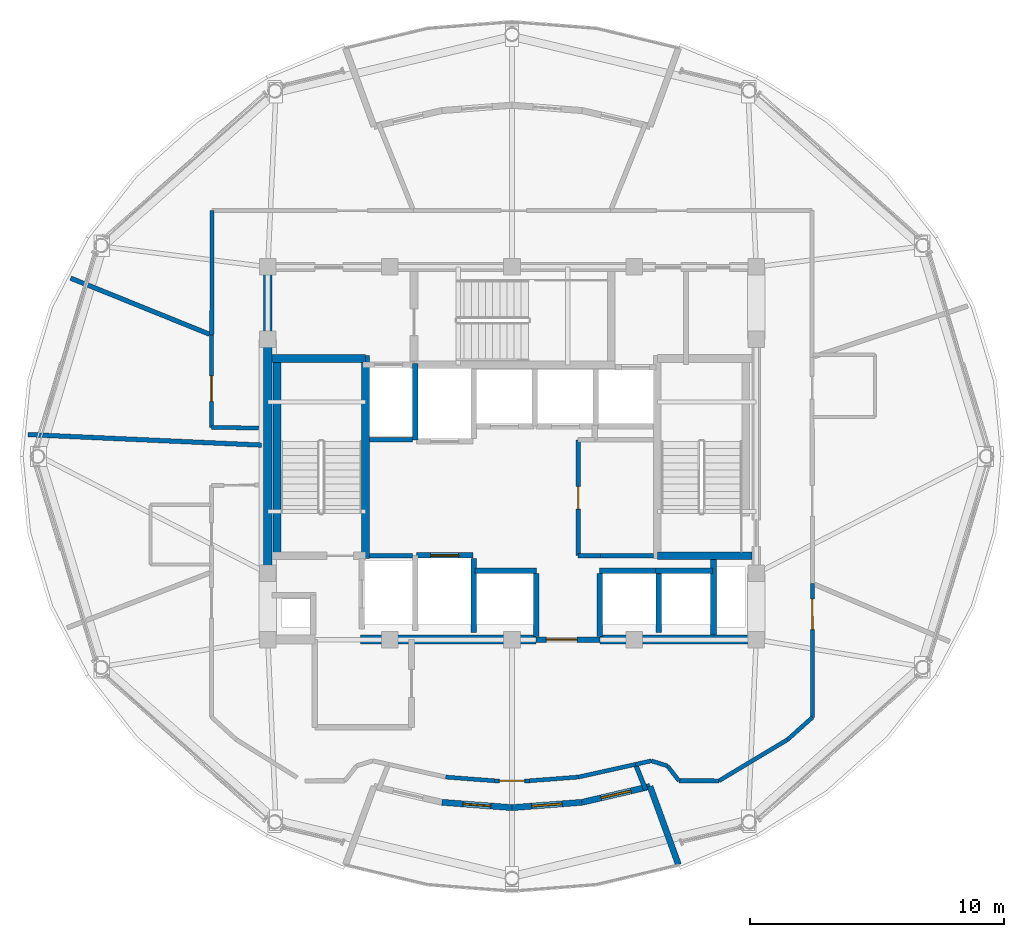
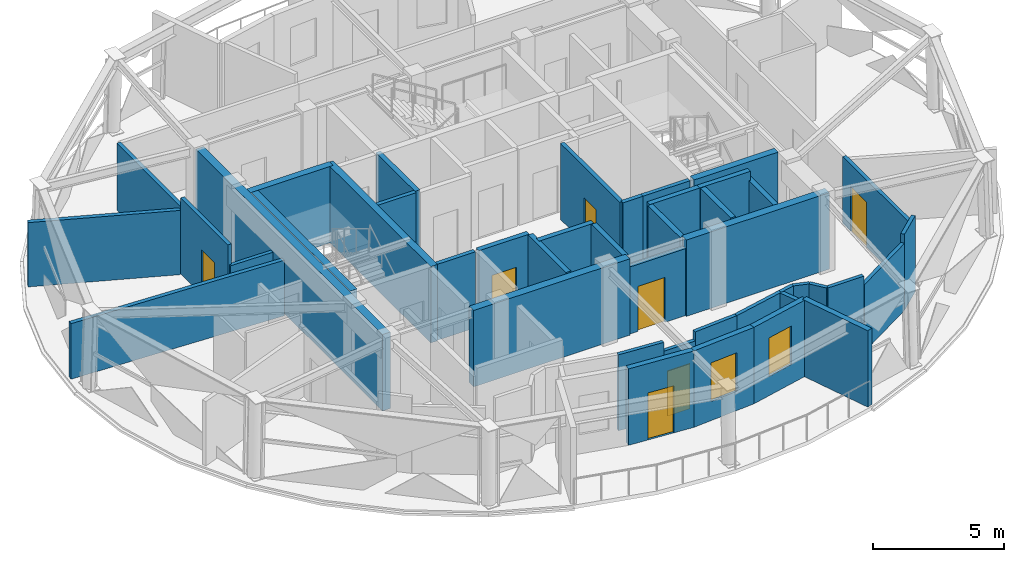
# One storey, part 7 of 13: 44 walls, 7 doors, 2 windows, 9 openings.
"""IFC4 building model written with IfcOpenShell, lengths in metres."""

import ifcopenshell
import ifcopenshell.guid

model = None  # the IFC model being written
_history = None  # IfcOwnerHistory: only IFC2X3 demands one
_inside = {}  # id of a spatial element -> (the spatial element, [elements in it])
_under = {}  # id of a project, library or spatial element -> (it, [spatial elements below it])
_declared = {}  # id of a project -> (the project, [libraries it declares])
_typed = {}  # id of a type object -> (the type object, [elements of that type])
_made_of = {}  # id of a material, layer set ... -> (it, [elements and type objects made of it])


def new_model(schema):
    """Start an empty IFC model of exactly this schema.

    Asked for "IFC4X3", IfcOpenShell would pick the latest addendum, in which some entities
    have other attributes; the version numbers below select the first issue.
    IFC2X3 requires an IfcOwnerHistory on every rooted entity: one is made here for all.
    """
    global model, _history
    if schema == "IFC4X3":
        model = ifcopenshell.file(schema_version=(4, 3, 0, 0))
    else:
        model = ifcopenshell.file(schema=schema)
    _inside.clear()
    _under.clear()
    _declared.clear()
    _typed.clear()
    _made_of.clear()
    _history = None
    if model.schema == "IFC2X3":
        org = make("IfcOrganization", Name="unknown")
        user = make(
            "IfcPersonAndOrganization",
            ThePerson=make("IfcPerson", FamilyName="unknown"),
            TheOrganization=org,
        )
        app = make(
            "IfcApplication",
            ApplicationDeveloper=org,
            Version="unknown",
            ApplicationFullName="unknown",
            ApplicationIdentifier="unknown",
        )
        _history = make(
            "IfcOwnerHistory",
            OwningUser=user,
            OwningApplication=app,
            ChangeAction="ADDED",
            CreationDate=0,
        )
    return model


def make(cls, **values):
    """One entity of the class cls with the attributes given. An attribute that is None is left unset."""
    return model.create_entity(
        cls, **{name: value for name, value in values.items() if value is not None}
    )


def rooted(cls, **values):
    """An entity with a GlobalId (a new one), such as an element, a storey or a relation."""
    return make(cls, GlobalId=ifcopenshell.guid.new(), OwnerHistory=_history, **values)


def si_unit(unit_type, name, prefix=None):
    """IfcSIUnit, for example si_unit("LENGTHUNIT", "METRE", prefix="MILLI")."""
    return make("IfcSIUnit", UnitType=unit_type, Prefix=prefix, Name=name)


def assignment(units):
    """IfcUnitAssignment: the units of a project."""
    return None if units is None else make("IfcUnitAssignment", Units=units)


def point(xyz):
    """IfcCartesianPoint."""
    return None if xyz is None else make("IfcCartesianPoint", Coordinates=xyz)


def direction(xyz):
    """IfcDirection."""
    return None if xyz is None else make("IfcDirection", DirectionRatios=xyz)


def frame(location, z_axis=None, x_axis=None):
    """IfcAxis2Placement3D, a coordinate frame: its origin and axes. An axis left out is left unset."""
    return make(
        "IfcAxis2Placement3D",
        Location=point(location),
        Axis=direction(z_axis),
        RefDirection=direction(x_axis),
    )


def frame_2d(location, x_axis=None):
    """IfcAxis2Placement2D, a coordinate frame in the plane: its origin and x axis."""
    return make(
        "IfcAxis2Placement2D", Location=point(location), RefDirection=direction(x_axis)
    )


def origin():
    """The frame at (0, 0, 0) with its axes left unset."""
    return frame((0.0, 0.0, 0.0))


def place(relative_to, where):
    """IfcLocalPlacement: puts the frame where relative to a parent placement (None: the world)."""
    return make(
        "IfcLocalPlacement", PlacementRelTo=relative_to, RelativePlacement=where
    )


def context(
    kind, dimensions, precision=None, world=None, true_north=None, identifier=None
):
    """IfcGeometricRepresentationContext, for example the 3D "Model" context."""
    return make(
        "IfcGeometricRepresentationContext",
        ContextIdentifier=identifier,
        ContextType=kind,
        CoordinateSpaceDimension=dimensions,
        Precision=precision,
        WorldCoordinateSystem=world,
        TrueNorth=true_north,
    )


def subcontext(parent, identifier, kind, view, scale=None):
    """IfcGeometricRepresentationSubContext, for example "Body" below "Model"."""
    return make(
        "IfcGeometricRepresentationSubContext",
        ContextIdentifier=identifier,
        ContextType=kind,
        ParentContext=parent,
        TargetScale=scale,
        TargetView=view,
    )


def project(units=None, contexts=None):
    """IfcProject with its units and contexts."""
    return rooted(
        "IfcProject",
        Name="project",
        RepresentationContexts=contexts,
        UnitsInContext=assignment(units),
    )


def spatial(cls, under=None, at=None, **own):
    """A site, building, storey or space (cls), placed at a placement, below another one or the project."""
    s = rooted(cls, ObjectPlacement=at, **own)
    if under is not None:
        _under.setdefault(under.id(), (under, []))[1].append(s)
    return s


def profile(cls, at=None, kind="AREA", **sizes):
    """A parametric profile (cls). Its sizes go by their IFC names, for example OverallWidth=200.0."""
    return make(cls, ProfileType=kind, Position=at, **sizes)


def rectangle(**sizes):
    """IfcRectangleProfileDef."""
    return profile("IfcRectangleProfileDef", **sizes)


def extrude(swept, where, along, depth):
    """IfcExtrudedAreaSolid: the profile swept, set in the frame where, extruded along a direction by depth."""
    return make(
        "IfcExtrudedAreaSolid",
        SweptArea=swept,
        Position=where,
        ExtrudedDirection=direction(along),
        Depth=depth,
    )


def shape(context_of_items, identifier, shape_type, items):
    """IfcShapeRepresentation: the items that make up one representation, for example the "Body"."""
    return make(
        "IfcShapeRepresentation",
        ContextOfItems=context_of_items,
        RepresentationIdentifier=identifier,
        RepresentationType=shape_type,
        Items=items,
    )


def material(Name=None, Category=None):
    """IfcMaterial."""
    return make("IfcMaterial", Name=Name, Category=Category)


def layer(
    of_material, thickness, ventilated=None, Name=None, Category=None, Priority=None
):
    """IfcMaterialLayer: one layer of a wall or slab, of a material (None: an air gap)."""
    return make(
        "IfcMaterialLayer",
        Material=of_material,
        LayerThickness=thickness,
        IsVentilated=ventilated,
        Name=Name,
        Category=Category,
        Priority=Priority,
    )


def layer_set(layers, Name=None):
    """IfcMaterialLayerSet."""
    return make("IfcMaterialLayerSet", MaterialLayers=layers, LayerSetName=Name)


def made_of(thing, what):
    """Note that an element or type object is made of a material, layer set ...; save() writes the relation."""
    if what is not None:
        _made_of.setdefault(what.id(), (what, []))[1].append(thing)
    return thing


def type_object(cls, material=None, **own):
    """A type object (cls), such as IfcWallType, which elements share."""
    return made_of(rooted(cls, **own), material)


def element(
    cls,
    number,
    at=None,
    inside=None,
    cuts=None,
    type_object=None,
    material=None,
    context=None,
    identifier="Body",
    shape_type=None,
    held_by="IfcProductDefinitionShape",
    body=None,
    shapes=None,
    **own,
):
    """One element of the class cls, such as IfcWall. Its Tag is "e" and its number.

    at: its placement. inside: the storey or other place that contains it. cuts: it is an
    opening in that element (IfcRelVoidsElement). A single representation is given by context,
    identifier, shape_type and body (its items); several are given by shapes. held_by: the class
    of the entity that holds the representations. save() writes the other relations.
    """
    e = rooted(cls, Tag="e%d" % number, ObjectPlacement=at, **own)
    if body is not None:
        shapes = [shape(context, identifier, shape_type, body)]
    if shapes is not None:
        e.Representation = make(held_by, Representations=shapes)
    if inside is not None:
        _inside.setdefault(inside.id(), (inside, []))[1].append(e)
    if cuts is not None:
        rooted(
            "IfcRelVoidsElement", RelatingBuildingElement=cuts, RelatedOpeningElement=e
        )
    if type_object is not None:
        _typed.setdefault(type_object.id(), (type_object, []))[1].append(e)
    return made_of(e, material)


def fill(opening, filler):
    """IfcRelFillsElement: the door or window that sits in an opening."""
    return rooted(
        "IfcRelFillsElement",
        RelatingOpeningElement=opening,
        RelatedBuildingElement=filler,
    )


def aggregate(whole, parts):
    """IfcRelAggregates: a whole, such as a stair, and the parts it consists of."""
    return rooted("IfcRelAggregates", RelatingObject=whole, RelatedObjects=parts)


def save(model, path):
    """Write the relations noted so far, then the file.

    IfcRelAggregates (storeys below a building ...), IfcRelContainedInSpatialStructure (elements
    in a storey), IfcRelDefinesByType, IfcRelAssociatesMaterial and IfcRelDeclares: one each for
    every whole, place, type object, material and project.
    """
    for whole, parts in _under.values():
        aggregate(whole, parts)
    for where, things in _inside.values():
        rooted(
            "IfcRelContainedInSpatialStructure",
            RelatedElements=things,
            RelatingStructure=where,
        )
    for kind, things in _typed.values():
        rooted("IfcRelDefinesByType", RelatedObjects=things, RelatingType=kind)
    for what, things in _made_of.values():
        rooted("IfcRelAssociatesMaterial", RelatedObjects=things, RelatingMaterial=what)
    for by, libraries in _declared.values():
        rooted("IfcRelDeclares", RelatingContext=by, RelatedDefinitions=libraries)
    model.write(path)


model = new_model("IFC4")

# Units and contexts
model_context = context("Model", 3, precision=1e-05, world=origin(), true_north=direction((0.0, 1.0)))
body_context = subcontext(model_context, "Body", "Model", "MODEL_VIEW")
ifc_project = project(units=[si_unit("LENGTHUNIT", "METRE"), si_unit("AREAUNIT", "SQUARE_METRE"), si_unit("VOLUMEUNIT", "CUBIC_METRE"), si_unit("PLANEANGLEUNIT", "RADIAN"), si_unit("MASSUNIT", "GRAM", prefix="KILO")], contexts=[model_context])

# Site, building, storey
site_placement = place(None, origin())
site = spatial("IfcSite", under=ifc_project, at=site_placement, CompositionType="ELEMENT")
building_placement = place(site_placement, origin())
building = spatial("IfcBuilding", under=site, at=building_placement, Name="Vantalir Tower", CompositionType="ELEMENT")
storey_placement = place(building_placement, frame((0.0, 0.0, 286.35009765625)))
storey = spatial("IfcBuildingStorey", under=building, at=storey_placement, Name="L72", CompositionType="ELEMENT", Elevation=286.35009765625)

# Walls
ifc_material_1 = material(Name="Concrete C50/60", Category="concrete")
ifc_layer_1 = layer(ifc_material_1, 0.35009765625)
ifc_layer_set_1 = layer_set([ifc_layer_1], Name="Concrete C50/60")
wall_type_1 = type_object("IfcWallType", Name="WL-CORE-350", PredefinedType="SHEAR", material=ifc_layer_set_1)
wall_1_placement = place(storey_placement, frame((25.550048828125, 17.800048828125, 0.0), z_axis=(0.0, 0.0, 1.0), x_axis=(1.0, 0.0, 0.0)))
element("IfcWall", 1, at=wall_1_placement, inside=storey, type_object=wall_type_1, Name="L72 Core Shear Wall South-Mid", PredefinedType="SHEAR", context=body_context, shape_type="SweptSolid", body=[
    extrude(rectangle(XDim=6.89990234375, YDim=0.35009765625, at=frame_2d((3.449951171875, 0.0))), origin(), (0.0, 0.0, 1.0), 3.56982421875),
])
wall_2_placement = place(storey_placement, frame((34.949951171875, 17.800048828125, 0.0), z_axis=(0.0, 0.0, 1.0), x_axis=(1.0, 0.0, 0.0)))
element("IfcWall", 2, at=wall_2_placement, inside=storey, type_object=wall_type_1, Name="L72 Core Shear Wall South-East", PredefinedType="SHEAR", context=body_context, shape_type="SweptSolid", body=[
    extrude(rectangle(XDim=6.324951171875, YDim=0.35009765625, at=frame_2d((3.16259765625, 0.0))), origin(), (0.0, 0.0, 1.0), 3.56982421875),
])
wall_3_placement = place(storey_placement, frame((21.89990234375, 17.97509765625, 0.0), z_axis=(0.0, 0.0, 1.0), x_axis=(0.0, 1.0, 0.0)))
element("IfcWall", 3, at=wall_3_placement, inside=storey, type_object=wall_type_1, Name="L72 Core Shear Wall West", PredefinedType="SHEAR", context=body_context, shape_type="SweptSolid", body=[
    extrude(rectangle(XDim=14.2998046875, YDim=0.35009765625, at=frame_2d((7.14990234375, 0.0))), origin(), (0.0, 0.0, 1.0), 3.56982421875),
])
ifc_material_2 = material(Name="Fire-rated hotel corridor acoustic partition", Category="gypsum")
ifc_layer_2 = layer(ifc_material_2, 0.159912109375)
ifc_layer_set_2 = layer_set([ifc_layer_2], Name="Fire-rated hotel corridor acoustic partition")
wall_type_2 = type_object("IfcWallType", Name="WL-CORR-160", PredefinedType="PARTITIONING", material=ifc_layer_set_2)
wall_4_placement = place(storey_placement, frame((21.544921875, 26.116943359375, 0.0), z_axis=(0.0, 0.0, 1.0), x_axis=(-0.999908513059, 0.0135264745, 0.0)))
element("IfcWall", 4, at=wall_4_placement, inside=storey, type_object=wall_type_2, Name="L72 Corridor Partition 01", PredefinedType="PARTITIONING", context=body_context, shape_type="SweptSolid", body=[
    extrude(rectangle(XDim=1.859130859375, YDim=0.159912109375, at=frame_2d((0.9296875, 0.0))), origin(), (0.0, 0.0, 1.0), 2.594970703125),
])

# Wall, opening, door
wall_5_placement = place(storey_placement, frame((19.68603515625, 26.14208984375, 0.0), z_axis=(0.0, 0.0, 1.0), x_axis=(0.002760560448, 0.999996189646, 0.0)))
wall_5 = element("IfcWall", 5, at=wall_5_placement, inside=storey, type_object=wall_type_2, Name="L72 Corridor Partition 02", PredefinedType="PARTITIONING", context=body_context, shape_type="SweptSolid", body=[
    extrude(rectangle(XDim=3.6259765625, YDim=0.159912109375, at=frame_2d((1.81298828125, 0.0))), origin(), (0.0, 0.0, 1.0), 3.5498046875),
])
opening_1_placement = place(wall_5_placement, frame((1.02490234375, 0.0, 0.0)))
opening_1 = element("IfcOpeningElement", 6, at=opening_1_placement, cuts=wall_5, Name="Opening D-GUEST", PredefinedType="OPENING", context=body_context, shape_type="SweptSolid", body=[
    extrude(rectangle(XDim=1.0, YDim=2.10009765625, at=frame_2d((0.5, 1.050048828125))), frame((0.0, 0.08984375, 0.0), z_axis=(0.0, -1.0, 0.0), x_axis=(1.0, 0.0, 0.0)), (0.0, 0.0, 1.0), 0.179931640625),
])
ifc_material_3 = material(Name="Solid-core teak veneer acoustic fire door", Category="wood")
door_type_1 = type_object("IfcDoorType", Name="DR-GUEST-ENTRY-1000", OperationType="NOTDEFINED", PredefinedType="DOOR", material=ifc_material_3)
door_1_placement = place(opening_1_placement, origin())
door_1 = element("IfcDoor", 7, at=door_1_placement, inside=storey, type_object=door_type_1, Name="L72 Executive Business Study 04 Door", OperationType="SINGLE_SWING_LEFT", OverallHeight=2.10009765625, OverallWidth=1.0, PredefinedType="DOOR", context=body_context, shape_type="SweptSolid", body=[
    extrude(rectangle(XDim=1.0, YDim=2.10009765625, at=frame_2d((0.5, 1.050048828125))), frame((0.0, 0.02490234375, 0.0), z_axis=(0.0, -1.0, 0.0), x_axis=(1.0, 0.0, 0.0)), (0.0, 0.0, 1.0), 0.050048828125),
])
fill(opening_1, door_1)

# Wall
wall_6_placement = place(storey_placement, frame((19.696044921875, 29.76806640625, 0.0), z_axis=(0.0, 0.0, 1.0), x_axis=(0.002843448547, 0.999995957392, 0.0)))
element("IfcWall", 8, at=wall_6_placement, inside=storey, type_object=wall_type_2, Name="L72 Corridor Partition 03", PredefinedType="PARTITIONING", context=body_context, shape_type="SweptSolid", body=[
    extrude(rectangle(XDim=4.89404296875, YDim=0.159912109375, at=frame_2d((2.447021484375, 0.0))), origin(), (0.0, 0.0, 1.0), 3.1318359375),
])

# Wall, opening, door
wall_7_placement = place(storey_placement, frame((43.305908203125, 20.0048828125, 0.0), z_axis=(0.0, 0.0, 1.0), x_axis=(0.000974522717, -0.999999525153, 0.0)))
wall_7 = element("IfcWall", 9, at=wall_7_placement, inside=storey, type_object=wall_type_2, Name="L72 Corridor Partition 09", PredefinedType="PARTITIONING", context=body_context, shape_type="SweptSolid", body=[
    extrude(rectangle(XDim=5.260986328125, YDim=0.159912109375, at=frame_2d((2.63037109375, 0.0))), origin(), (0.0, 0.0, 1.0), 3.1318359375),
])
opening_2_placement = place(wall_7_placement, frame((0.60888671875, 0.0, 0.0)))
opening_2 = element("IfcOpeningElement", 10, at=opening_2_placement, cuts=wall_7, Name="Opening D-STE", PredefinedType="OPENING", context=body_context, shape_type="SweptSolid", body=[
    extrude(rectangle(XDim=1.199951171875, YDim=2.10009765625, at=frame_2d((0.60009765625, 1.050048828125))), frame((0.0, 0.08984375, 0.0), z_axis=(0.0, -1.0, 0.0), x_axis=(1.0, 0.0, 0.0)), (0.0, 0.0, 1.0), 0.179931640625),
])
ifc_material_4 = material(Name="Solid-core teak veneer suite entrance door", Category="wood")
door_type_2 = type_object("IfcDoorType", Name="DR-SUITE-ENTRY-1200", OperationType="NOTDEFINED", PredefinedType="DOOR", material=ifc_material_4)
door_2_placement = place(opening_2_placement, origin())
door_2 = element("IfcDoor", 11, at=door_2_placement, inside=storey, type_object=door_type_2, Name="L72 Club Reading Lounge 08 Door", OperationType="SINGLE_SWING_LEFT", OverallHeight=2.10009765625, OverallWidth=1.199951171875, PredefinedType="DOOR", context=body_context, shape_type="SweptSolid", body=[
    extrude(rectangle(XDim=1.199951171875, YDim=2.10009765625, at=frame_2d((0.60009765625, 1.050048828125))), frame((0.0, 0.02490234375, 0.0), z_axis=(0.0, -1.0, 0.0), x_axis=(1.0, 0.0, 0.0)), (0.0, 0.0, 1.0), 0.050048828125),
])
fill(opening_2, door_2)

# Walls
wall_8_placement = place(storey_placement, frame((43.31103515625, 14.743896484375, 0.0), z_axis=(0.0, 0.0, 1.0), x_axis=(-0.745109560878, -0.666942083159, 0.0)))
element("IfcWall", 12, at=wall_8_placement, inside=storey, type_object=wall_type_2, Name="L72 Corridor Partition 10", PredefinedType="PARTITIONING", context=body_context, shape_type="SweptSolid", body=[
    extrude(rectangle(XDim=1.30859375, YDim=0.159912109375, at=frame_2d((0.654296875, 0.0))), origin(), (0.0, 0.0, 1.0), 3.5498046875),
])
wall_9_placement = place(storey_placement, frame((42.3359375, 13.87109375, 0.0), z_axis=(0.0, 0.0, 1.0), x_axis=(-0.857335557937, -0.514757944181, 0.0)))
element("IfcWall", 13, at=wall_9_placement, inside=storey, type_object=wall_type_2, Name="L72 Corridor Partition 11", PredefinedType="PARTITIONING", context=body_context, shape_type="SweptSolid", body=[
    extrude(rectangle(XDim=3.149169921875, YDim=0.159912109375, at=frame_2d((1.57470703125, 0.0))), origin(), (0.0, 0.0, 1.0), 3.1318359375),
])
wall_10_placement = place(storey_placement, frame((39.635986328125, 12.25, 0.0), z_axis=(0.0, 0.0, 1.0), x_axis=(-0.999999228186, 0.00124242799, 0.0)))
element("IfcWall", 14, at=wall_10_placement, inside=storey, type_object=wall_type_2, Name="L72 Corridor Partition 12", PredefinedType="PARTITIONING", context=body_context, shape_type="SweptSolid", body=[
    extrude(rectangle(XDim=1.572021484375, YDim=0.159912109375, at=frame_2d((0.7861328125, 0.0))), origin(), (0.0, 0.0, 1.0), 3.5498046875),
])
wall_11_placement = place(storey_placement, frame((38.06396484375, 12.251953125, 0.0), z_axis=(0.0, 0.0, 1.0), x_axis=(-0.614283702356, 0.789085250794, 0.0)))
element("IfcWall", 15, at=wall_11_placement, inside=storey, type_object=wall_type_2, Name="L72 Corridor Partition 13", PredefinedType="PARTITIONING", context=body_context, shape_type="SweptSolid", body=[
    extrude(rectangle(XDim=0.73876953125, YDim=0.159912109375, at=frame_2d((0.369384765625, 0.0))), origin(), (0.0, 0.0, 1.0), 3.5498046875),
])
wall_12_placement = place(storey_placement, frame((37.610107421875, 12.8349609375, 0.0), z_axis=(0.0, 0.0, 1.0), x_axis=(-0.954119736228, 0.299425331161, 0.0)))
element("IfcWall", 16, at=wall_12_placement, inside=storey, type_object=wall_type_2, Name="L72 Corridor Partition 14", PredefinedType="PARTITIONING", context=body_context, shape_type="SweptSolid", body=[
    extrude(rectangle(XDim=0.66455078125, YDim=0.159912109375, at=frame_2d((0.332275390625, 0.0))), origin(), (0.0, 0.0, 1.0), 3.5498046875),
])
wall_13_placement = place(storey_placement, frame((36.97607421875, 13.033935546875, 0.0), z_axis=(0.0, 0.0, 1.0), x_axis=(-0.976141826299, -0.217133910181, 0.0)))
element("IfcWall", 17, at=wall_13_placement, inside=storey, type_object=wall_type_2, Name="L72 Corridor Partition 15", PredefinedType="PARTITIONING", context=body_context, shape_type="SweptSolid", body=[
    extrude(rectangle(XDim=0.63525390625, YDim=0.159912109375, at=frame_2d((0.317626953125, 0.0))), origin(), (0.0, 0.0, 1.0), 3.5498046875),
])
wall_14_placement = place(storey_placement, frame((36.35595703125, 12.89599609375, 0.0), z_axis=(0.0, 0.0, 1.0), x_axis=(-0.976187060184, -0.216930457819, 0.0)))
element("IfcWall", 18, at=wall_14_placement, inside=storey, type_object=wall_type_2, Name="L72 Corridor Partition 16", PredefinedType="PARTITIONING", context=body_context, shape_type="SweptSolid", body=[
    extrude(rectangle(XDim=2.304931640625, YDim=0.159912109375, at=frame_2d((1.15234375, 0.0))), origin(), (0.0, 0.0, 1.0), 3.5498046875),
])
wall_15_placement = place(storey_placement, frame((34.10595703125, 12.39599609375, 0.0), z_axis=(0.0, 0.0, 1.0), x_axis=(-0.997103655261, -0.076054590031, 0.0)))
element("IfcWall", 19, at=wall_15_placement, inside=storey, type_object=wall_type_2, Name="L72 Corridor Partition 17", PredefinedType="PARTITIONING", context=body_context, shape_type="SweptSolid", body=[
    extrude(rectangle(XDim=1.919677734375, YDim=0.159912109375, at=frame_2d((0.9599609375, 0.0))), origin(), (0.0, 0.0, 1.0), 3.5498046875),
])

# Wall, opening, door
wall_16_placement = place(storey_placement, frame((32.19189453125, 12.25, 0.0), z_axis=(0.0, 0.0, 1.0), x_axis=(-1.0, 0.0, 0.0)))
wall_16 = element("IfcWall", 20, at=wall_16_placement, inside=storey, type_object=wall_type_2, Name="L72 Corridor Partition 18", PredefinedType="PARTITIONING", context=body_context, shape_type="SweptSolid", body=[
    extrude(rectangle(XDim=1.3837890625, YDim=0.159912109375, at=frame_2d((0.69189453125, 0.0))), origin(), (0.0, 0.0, 1.0), 3.1318359375),
])
opening_3_placement = place(wall_16_placement, frame((0.19189453125, 0.0, 0.0)))
opening_3 = element("IfcOpeningElement", 21, at=opening_3_placement, cuts=wall_16, Name="Opening D-GUEST", PredefinedType="OPENING", context=body_context, shape_type="SweptSolid", body=[
    extrude(rectangle(XDim=1.0, YDim=2.10009765625, at=frame_2d((0.5, 1.050048828125))), frame((0.0, 0.08984375, 0.0), z_axis=(0.0, -1.0, 0.0), x_axis=(1.0, 0.0, 0.0)), (0.0, 0.0, 1.0), 0.179931640625),
])
door_3_placement = place(opening_3_placement, origin())
door_3 = element("IfcDoor", 22, at=door_3_placement, inside=storey, type_object=door_type_1, Name="L72 Wind Portal Viewing Lounge 07 Door", OperationType="SINGLE_SWING_RIGHT", OverallHeight=2.10009765625, OverallWidth=1.0, PredefinedType="DOOR", context=body_context, shape_type="SweptSolid", body=[
    extrude(rectangle(XDim=1.0, YDim=2.10009765625, at=frame_2d((0.5, 1.050048828125))), frame((0.0, 0.02490234375, 0.0), z_axis=(0.0, -1.0, 0.0), x_axis=(1.0, 0.0, 0.0)), (0.0, 0.0, 1.0), 0.050048828125),
])
fill(opening_3, door_3)

# Walls
wall_17_placement = place(storey_placement, frame((30.80810546875, 12.25, 0.0), z_axis=(0.0, 0.0, 1.0), x_axis=(-0.997103655261, 0.076054590031, 0.0)))
element("IfcWall", 23, at=wall_17_placement, inside=storey, type_object=wall_type_2, Name="L72 Corridor Partition 19", PredefinedType="PARTITIONING", context=body_context, shape_type="SweptSolid", body=[
    extrude(rectangle(XDim=1.919677734375, YDim=0.159912109375, at=frame_2d((0.9599609375, 0.0))), origin(), (0.0, 0.0, 1.0), 3.5498046875),
])
ifc_material_5 = material(Name="Precast concrete C40/50 insulated sky-garden wall", Category="concrete")
ifc_layer_3 = layer(ifc_material_5, 0.239990234375)
ifc_layer_set_3 = layer_set([ifc_layer_3], Name="Precast concrete C40/50 insulated sky-garden wall")
wall_type_3 = type_object("IfcWallType", Name="WL-EXT-SG-240", PredefinedType="SOLIDWALL", material=ifc_layer_set_3)
wall_18_placement = place(storey_placement, frame((36.926025390625, 12.027099609375, 0.0), z_axis=(0.0, 0.0, 1.0), x_axis=(0.342132643751, -0.939651666353, 0.0)))
element("IfcWall", 24, at=wall_18_placement, inside=storey, type_object=wall_type_3, Name="L72 Wind Portal Return SB", PredefinedType="SOLIDWALL", context=body_context, shape_type="SweptSolid", body=[
    extrude(rectangle(XDim=3.270263671875, YDim=0.239990234375, at=frame_2d((1.63525390625, 0.0))), origin(), (0.0, 0.0, 1.0), 3.56982421875),
])

# Wall, opening, door
wall_19_placement = place(storey_placement, frame((28.7451171875, 11.404052734375, 0.0), z_axis=(0.0, 0.0, 1.0), x_axis=(0.997108296296, -0.075993719852, 0.0)))
wall_19 = element("IfcWall", 25, at=wall_19_placement, inside=storey, type_object=wall_type_3, Name="L72 Wind Portal Lounge Wall S2", PredefinedType="SOLIDWALL", context=body_context, shape_type="SweptSolid", body=[
    extrude(rectangle(XDim=2.762939453125, YDim=0.239990234375, at=frame_2d((1.38134765625, 0.0))), origin(), (0.0, 0.0, 1.0), 3.56982421875),
])
opening_4_placement = place(wall_19_placement, frame((0.8310546875, 0.0, 0.0)))
opening_4 = element("IfcOpeningElement", 26, at=opening_4_placement, cuts=wall_19, Name="Opening D-TR", PredefinedType="OPENING", context=body_context, shape_type="SweptSolid", body=[
    extrude(rectangle(XDim=1.10009765625, YDim=2.199951171875, at=frame_2d((0.550048828125, 1.10009765625))), frame((0.0, 0.1298828125, 0.0), z_axis=(0.0, -1.0, 0.0), x_axis=(1.0, 0.0, 0.0)), (0.0, 0.0, 1.0), 0.260009765625),
])
ifc_material_6 = material(Name="Thermally broken Low-E glazed terrace door", Category="steel")
door_type_3 = type_object("IfcDoorType", Name="DR-EXT-TERR-1100", OperationType="NOTDEFINED", PredefinedType="DOOR", material=ifc_material_6)
door_4_placement = place(opening_4_placement, frame((1.10009765625, 0.0, 0.0), z_axis=(0.0, 0.0, 1.0), x_axis=(-1.0, 0.0, 0.0)))
door_4 = element("IfcDoor", 27, at=door_4_placement, inside=storey, type_object=door_type_3, Name="L72 Wind Portal Loggia Door S", OperationType="SINGLE_SWING_RIGHT", OverallHeight=2.199951171875, OverallWidth=1.10009765625, PredefinedType="DOOR", context=body_context, shape_type="SweptSolid", body=[
    extrude(rectangle(XDim=1.10009765625, YDim=2.199951171875, at=frame_2d((0.550048828125, 1.10009765625))), frame((0.0, 0.02490234375, 0.0), z_axis=(0.0, -1.0, 0.0), x_axis=(1.0, 0.0, 0.0)), (0.0, 0.0, 1.0), 0.050048828125),
])
fill(opening_4, door_4)

# Wall, opening, window
wall_20_placement = place(storey_placement, frame((31.5, 11.194091796875, 0.0), z_axis=(0.0, 0.0, 1.0), x_axis=(0.997108296296, 0.075993719852, 0.0)))
wall_20 = element("IfcWall", 28, at=wall_20_placement, inside=storey, type_object=wall_type_3, Name="L72 Wind Portal Lounge Wall S3", PredefinedType="SOLIDWALL", context=body_context, shape_type="SweptSolid", body=[
    extrude(rectangle(XDim=2.762939453125, YDim=0.239990234375, at=frame_2d((1.38134765625, 0.0))), origin(), (0.0, 0.0, 1.0), 3.56982421875),
])
opening_5_placement = place(wall_20_placement, frame((0.781005859375, 0.0, 0.89990234375)))
opening_5 = element("IfcOpeningElement", 29, at=opening_5_placement, cuts=wall_20, Name="Opening WN-4", PredefinedType="OPENING", context=body_context, shape_type="SweptSolid", body=[
    extrude(rectangle(XDim=1.199951171875, YDim=1.800048828125, at=frame_2d((0.60009765625, 0.89990234375))), frame((0.0, 0.1298828125, 0.0), z_axis=(0.0, -1.0, 0.0), x_axis=(1.0, 0.0, 0.0)), (0.0, 0.0, 1.0), 0.260009765625),
])
ifc_material_7 = material(Name="Operable smoke-vent Low-E window", Category="glass")
window_type = type_object("IfcWindowType", Name="WIN-SG-1200x1800", PartitioningType="SINGLE_PANEL", PredefinedType="WINDOW", material=ifc_material_7)
window_1_placement = place(opening_5_placement, origin())
window_1 = element("IfcWindow", 30, at=window_1_placement, inside=storey, type_object=window_type, Name="L72 Wind Portal Viewing Window S3", OverallHeight=1.800048828125, OverallWidth=1.199951171875, PartitioningType="SINGLE_PANEL", PredefinedType="WINDOW", context=body_context, shape_type="SweptSolid", body=[
    extrude(rectangle(XDim=1.199951171875, YDim=1.800048828125, at=frame_2d((0.60009765625, 0.89990234375))), frame((0.0, 0.030029296875, 0.0), z_axis=(0.0, -1.0, 0.0), x_axis=(1.0, 0.0, 0.0)), (0.0, 0.0, 1.0), 0.06005859375),
])
fill(opening_5, window_1)

wall_21_placement = place(storey_placement, frame((34.2548828125, 11.404052734375, 0.0), z_axis=(0.0, 0.0, 1.0), x_axis=(0.973858933753, 0.227153642166, 0.0)))
wall_21 = element("IfcWall", 31, at=wall_21_placement, inside=storey, type_object=wall_type_3, Name="L72 Wind Portal Lounge Wall S4", PredefinedType="SOLIDWALL", context=body_context, shape_type="SweptSolid", body=[
    extrude(rectangle(XDim=2.742919921875, YDim=0.239990234375, at=frame_2d((1.37158203125, 0.0))), origin(), (0.0, 0.0, 1.0), 3.56982421875),
])
opening_6_placement = place(wall_21_placement, frame((0.77099609375, 0.0, 0.89990234375)))
opening_6 = element("IfcOpeningElement", 32, at=opening_6_placement, cuts=wall_21, Name="Opening WN-4", PredefinedType="OPENING", context=body_context, shape_type="SweptSolid", body=[
    extrude(rectangle(XDim=1.199951171875, YDim=1.800048828125, at=frame_2d((0.60009765625, 0.89990234375))), frame((0.0, 0.1298828125, 0.0), z_axis=(0.0, -1.0, 0.0), x_axis=(1.0, 0.0, 0.0)), (0.0, 0.0, 1.0), 0.260009765625),
])
window_2_placement = place(opening_6_placement, origin())
window_2 = element("IfcWindow", 33, at=window_2_placement, inside=storey, type_object=window_type, Name="L72 Wind Portal Viewing Window S4", OverallHeight=1.800048828125, OverallWidth=1.199951171875, PartitioningType="SINGLE_PANEL", PredefinedType="WINDOW", context=body_context, shape_type="SweptSolid", body=[
    extrude(rectangle(XDim=1.199951171875, YDim=1.800048828125, at=frame_2d((0.60009765625, 0.89990234375))), frame((0.0, 0.030029296875, 0.0), z_axis=(0.0, -1.0, 0.0), x_axis=(1.0, 0.0, 0.0)), (0.0, 0.0, 1.0), 0.06005859375),
])
fill(opening_6, window_2)

# Walls
ifc_material_8 = material(Name="Concrete blockwork with fireboard lining", Category="masonry")
ifc_layer_4 = layer(ifc_material_8, 0.219970703125)
ifc_layer_set_4 = layer_set([ifc_layer_4], Name="Concrete blockwork with fireboard lining")
wall_type_4 = type_object("IfcWallType", Name="WL-FFL-220", PredefinedType="PARTITIONING", material=ifc_layer_set_4)
wall_22_placement = place(storey_placement, frame((30.0, 18.080078125, 0.0), z_axis=(0.0, 0.0, 1.0), x_axis=(0.0, 1.0, 0.0)))
element("IfcWall", 34, at=wall_22_placement, inside=storey, type_object=wall_type_4, Name="L72 Service Lift SV1 East Shaft Wall", PredefinedType="PARTITIONING", context=body_context, shape_type="SweptSolid", body=[
    extrude(rectangle(XDim=2.89990234375, YDim=0.219970703125, at=frame_2d((1.449951171875, 0.0))), origin(), (0.0, 0.0, 1.0), 3.544921875),
])
for number, where, z_axis, x_axis, name in (
    (35, (32.449951171875, 17.919921875, 0.0), (0.0, 0.0, 1.0), (0.0, 1.0, 0.0), "L72 Shuttle Lift PL-X1 East Shaft Cheek"),
    (36, (34.949951171875, 17.919921875, 0.0), (0.0, 0.0, 1.0), (0.0, 1.0, 0.0), "L72 Shuttle Lift PL-X3 West Shaft Cheek"),
):
    element("IfcWall", number, at=place(storey_placement, frame(where, z_axis=z_axis, x_axis=x_axis)), inside=storey, type_object=wall_type_4, Name=name, PredefinedType="PARTITIONING", context=body_context, shape_type="SweptSolid", body=[
        extrude(rectangle(XDim=2.469970703125, YDim=0.219970703125, at=frame_2d((1.23486328125, 0.0))), origin(), (0.0, 0.0, 1.0), 3.544921875),
    ])
wall_23_placement = place(storey_placement, frame((37.27490234375, 18.080078125, 0.0), z_axis=(0.0, 0.0, 1.0), x_axis=(0.0, 1.0, 0.0)))
element("IfcWall", 37, at=wall_23_placement, inside=storey, type_object=wall_type_4, Name="L72 Shuttle Lift PL-X2/X3 Shaft Divider", PredefinedType="PARTITIONING", context=body_context, shape_type="SweptSolid", body=[
    extrude(rectangle(XDim=2.309814453125, YDim=0.219970703125, at=frame_2d((1.15478515625, 0.0))), origin(), (0.0, 0.0, 1.0), 3.544921875),
])

# Wall, opening, door
wall_24_placement = place(storey_placement, frame((32.449951171875, 17.800048828125, 0.0), z_axis=(0.0, 0.0, 1.0), x_axis=(1.0, 0.0, 0.0)))
wall_24 = element("IfcWall", 38, at=wall_24_placement, inside=storey, type_object=wall_type_4, Name="L72 Passenger Lift Lobby South Wall", PredefinedType="PARTITIONING", context=body_context, shape_type="SweptSolid", body=[
    extrude(rectangle(XDim=2.5, YDim=0.219970703125, at=frame_2d((1.25, 0.0))), origin(), (0.0, 0.0, 1.0), 3.1318359375),
])
opening_7_placement = place(wall_24_placement, frame((0.39990234375, 0.0, 0.0)))
opening_7 = element("IfcOpeningElement", 39, at=opening_7_placement, cuts=wall_24, Name="Opening D-STE", PredefinedType="OPENING", context=body_context, shape_type="SweptSolid", body=[
    extrude(rectangle(XDim=1.199951171875, YDim=2.10009765625, at=frame_2d((0.60009765625, 1.050048828125))), frame((0.0, 0.119873046875, 0.0), z_axis=(0.0, -1.0, 0.0), x_axis=(1.0, 0.0, 0.0)), (0.0, 0.0, 1.0), 0.239990234375),
])
door_5_placement = place(opening_7_placement, origin())
door_5 = element("IfcDoor", 40, at=door_5_placement, inside=storey, type_object=door_type_2, Name="L72 Passenger Lift Lobby Concourse Door", OperationType="SINGLE_SWING_LEFT", OverallHeight=2.10009765625, OverallWidth=1.199951171875, PredefinedType="DOOR", context=body_context, shape_type="SweptSolid", body=[
    extrude(rectangle(XDim=1.199951171875, YDim=2.10009765625, at=frame_2d((0.60009765625, 1.050048828125))), frame((0.0, 0.02490234375, 0.0), z_axis=(0.0, -1.0, 0.0), x_axis=(1.0, 0.0, 0.0)), (0.0, 0.0, 1.0), 0.050048828125),
])
fill(opening_7, door_5)

# Wall
wall_25_placement = place(storey_placement, frame((39.419921875, 17.97509765625, 0.0), z_axis=(0.0, 0.0, 1.0), x_axis=(0.0, 1.0, 0.0)))
element("IfcWall", 41, at=wall_25_placement, inside=storey, type_object=wall_type_4, Name="L72 East MEP Riser Wall W", PredefinedType="PARTITIONING", context=body_context, shape_type="SweptSolid", body=[
    extrude(rectangle(XDim=2.974853515625, YDim=0.219970703125, at=frame_2d((1.4873046875, 0.0))), origin(), (0.0, 0.0, 1.0), 3.1318359375),
])

# Wall, opening, door
wall_26_placement = place(storey_placement, frame((27.739990234375, 21.110107421875, 0.0), z_axis=(0.0, 0.0, 1.0), x_axis=(1.0, 0.0, 0.0)))
wall_26 = element("IfcWall", 42, at=wall_26_placement, inside=storey, type_object=wall_type_4, Name="L72 Lift SV1 Shaft Front Wall", PredefinedType="PARTITIONING", context=body_context, shape_type="SweptSolid", body=[
    extrude(rectangle(XDim=2.219970703125, YDim=0.219970703125, at=frame_2d((1.10986328125, 0.0))), origin(), (0.0, 0.0, 1.0), 3.5498046875),
])
opening_8_placement = place(wall_26_placement, frame((0.56005859375, 0.0, 0.0)))
opening_8 = element("IfcOpeningElement", 43, at=opening_8_placement, cuts=wall_26, Name="Opening LD-SV1", PredefinedType="OPENING", context=body_context, shape_type="SweptSolid", body=[
    extrude(rectangle(XDim=1.10009765625, YDim=2.199951171875, at=frame_2d((0.550048828125, 1.10009765625))), frame((0.0, 0.119873046875, 0.0), z_axis=(0.0, -1.0, 0.0), x_axis=(1.0, 0.0, 0.0)), (0.0, 0.0, 1.0), 0.239990234375),
])
ifc_material_9 = material(Name="Brushed stainless-steel sliding lift landing door", Category="steel")
door_type_4 = type_object("IfcDoorType", Name="DR-LIFT-LANDING-1100", OperationType="DOUBLE_DOOR_SLIDING", PredefinedType="DOOR", material=ifc_material_9)
door_6_placement = place(opening_8_placement, origin())
door_6 = element("IfcDoor", 44, at=door_6_placement, inside=storey, type_object=door_type_4, Name="L72 Lift Landing Door SV1", OperationType="DOUBLE_DOOR_SLIDING", OverallHeight=2.199951171875, OverallWidth=1.10009765625, PredefinedType="DOOR", context=body_context, shape_type="SweptSolid", body=[
    extrude(rectangle(XDim=1.10009765625, YDim=2.199951171875, at=frame_2d((0.550048828125, 1.10009765625))), frame((0.0, 0.02490234375, 0.0), z_axis=(0.0, -1.0, 0.0), x_axis=(1.0, 0.0, 0.0)), (0.0, 0.0, 1.0), 0.050048828125),
])
fill(opening_8, door_6)

# Walls
wall_27_placement = place(storey_placement, frame((30.0400390625, 20.510009765625, 0.0), z_axis=(0.0, 0.0, 1.0), x_axis=(1.0, 0.0, 0.0)))
element("IfcWall", 45, at=wall_27_placement, inside=storey, type_object=wall_type_4, Name="L72 Lift PL-X1 Shaft Front Wall", PredefinedType="PARTITIONING", context=body_context, shape_type="SweptSolid", body=[
    extrude(rectangle(XDim=2.419921875, YDim=0.219970703125, at=frame_2d((1.2099609375, 0.0))), origin(), (0.0, 0.0, 1.0), 3.5498046875),
])
for number, where, z_axis, x_axis, name in (
    (46, (37.139892578125, 20.510009765625, 0.0), (0.0, 0.0, 1.0), (1.0, 0.0, 0.0), "L72 Lift PL-X2 Shaft Rear Wall"),
    (47, (34.93994140625, 20.510009765625, 0.0), (0.0, 0.0, 1.0), (1.0, 0.0, 0.0), "L72 Lift PL-X3 Shaft Front Wall"),
):
    element("IfcWall", number, at=place(storey_placement, frame(where, z_axis=z_axis, x_axis=x_axis)), inside=storey, type_object=wall_type_4, Name=name, PredefinedType="PARTITIONING", context=body_context, shape_type="SweptSolid", body=[
        extrude(rectangle(XDim=2.239990234375, YDim=0.219970703125, at=frame_2d((1.1201171875, 0.0))), origin(), (0.0, 0.0, 1.0), 3.5498046875),
    ])
wall_28_placement = place(storey_placement, frame((27.699951171875, 25.64990234375, 0.0), z_axis=(0.0, 0.0, 1.0), x_axis=(0.0, 1.0, 0.0)))
element("IfcWall", 48, at=wall_28_placement, inside=storey, type_object=wall_type_4, Name="L72 Fire Lift FL2 Dividing Wall", PredefinedType="PARTITIONING", context=body_context, shape_type="SweptSolid", body=[
    extrude(rectangle(XDim=3.0, YDim=0.219970703125, at=frame_2d((1.5, 0.0))), origin(), (0.0, 0.0, 1.0), 3.5498046875),
])
ifc_material_10 = material(Name="Twin-stud acoustic fire-rated gypsum partition", Category="gypsum")
ifc_layer_5 = layer(ifc_material_10, 0.179931640625)
ifc_layer_set_5 = layer_set([ifc_layer_5], Name="Twin-stud acoustic fire-rated gypsum partition")
wall_type_5 = type_object("IfcWallType", Name="WL-GUEST-180", PredefinedType="PARTITIONING", material=ifc_layer_set_5)
for number, where, z_axis, x_axis, name in (
    (49, (25.889892578125, 21.10009765625, 0.0), (0.0, 0.0, 1.0), (1.0, 0.0, 0.0), "L72 Freed West Core South Wall"),
    (50, (25.889892578125, 25.64990234375, 0.0), (0.0, 0.0, 1.0), (1.0, 0.0, 0.0), "L72 Freed West Core North Wall"),
):
    element("IfcWall", number, at=place(storey_placement, frame(where, z_axis=z_axis, x_axis=x_axis)), inside=storey, type_object=wall_type_5, Name=name, PredefinedType="PARTITIONING", context=body_context, shape_type="SweptSolid", body=[
        extrude(rectangle(XDim=1.7001953125, YDim=0.179931640625, at=frame_2d((0.85009765625, 0.0))), origin(), (0.0, 0.0, 1.0), 3.5498046875),
    ])
wall_29_placement = place(storey_placement, frame((34.97998046875, 21.10009765625, 0.0), z_axis=(0.0, 0.0, 1.0), x_axis=(1.0, 0.0, 0.0)))
element("IfcWall", 51, at=wall_29_placement, inside=storey, type_object=wall_type_5, Name="L72 Freed East Core South Wall", PredefinedType="PARTITIONING", context=body_context, shape_type="SweptSolid", body=[
    extrude(rectangle(XDim=2.080078125, YDim=0.179931640625, at=frame_2d((1.0400390625, 0.0))), origin(), (0.0, 0.0, 1.0), 3.5498046875),
])
wall_30_placement = place(storey_placement, frame((34.10009765625, 21.10009765625, 0.0), z_axis=(0.0, 0.0, 1.0), x_axis=(1.0, 0.0, 0.0)))
element("IfcWall", 52, at=wall_30_placement, inside=storey, type_object=wall_type_5, Name="L72 East Core Room South Return", PredefinedType="PARTITIONING", context=body_context, shape_type="SweptSolid", body=[
    extrude(rectangle(XDim=0.8798828125, YDim=0.179931640625, at=frame_2d((0.43994140625, 0.0))), origin(), (0.0, 0.0, 1.0), 3.5498046875),
])

# Wall, opening, door
wall_31_placement = place(storey_placement, frame((34.10009765625, 21.10009765625, 0.0), z_axis=(0.0, 0.0, 1.0), x_axis=(0.0, 1.0, 0.0)))
wall_31 = element("IfcWall", 53, at=wall_31_placement, inside=storey, type_object=wall_type_5, Name="L72 East Core Room West Wall", PredefinedType="PARTITIONING", context=body_context, shape_type="SweptSolid", body=[
    extrude(rectangle(XDim=4.5498046875, YDim=0.179931640625, at=frame_2d((2.27490234375, 0.0))), origin(), (0.0, 0.0, 1.0), 3.5498046875),
])
opening_9_placement = place(wall_31_placement, frame((1.824951171875, 0.0, 0.0)))
opening_9 = element("IfcOpeningElement", 54, at=opening_9_placement, cuts=wall_31, Name="Opening D-CR", PredefinedType="OPENING", context=body_context, shape_type="SweptSolid", body=[
    extrude(rectangle(XDim=0.89990234375, YDim=2.10009765625, at=frame_2d((0.449951171875, 1.050048828125))), frame((0.0, 0.099853515625, 0.0), z_axis=(0.0, -1.0, 0.0), x_axis=(1.0, 0.0, 0.0)), (0.0, 0.0, 1.0), 0.199951171875),
])
ifc_material_11 = material(Name="Fire-rated steel core service door", Category="steel")
door_type_5 = type_object("IfcDoorType", Name="DR-CORE-SERV-900", OperationType="NOTDEFINED", PredefinedType="DOOR", material=ifc_material_11)
door_7_placement = place(opening_9_placement, frame((0.89990234375, 0.0, 0.0), z_axis=(0.0, 0.0, 1.0), x_axis=(-1.0, 0.0, 0.0)))
door_7 = element("IfcDoor", 55, at=door_7_placement, inside=storey, type_object=door_type_5, Name="L72 Core Linen Store Door", OperationType="SINGLE_SWING_LEFT", OverallHeight=2.10009765625, OverallWidth=0.89990234375, PredefinedType="DOOR", context=body_context, shape_type="SweptSolid", body=[
    extrude(rectangle(XDim=0.89990234375, YDim=2.10009765625, at=frame_2d((0.449951171875, 1.050048828125))), frame((0.0, 0.02490234375, 0.0), z_axis=(0.0, -1.0, 0.0), x_axis=(1.0, 0.0, 0.0)), (0.0, 0.0, 1.0), 0.050048828125),
])
fill(opening_9, door_7)

# Walls
wall_32_placement = place(storey_placement, frame((19.610107421875, 29.802978515625, 0.0), z_axis=(0.0, 0.0, 1.0), x_axis=(-0.927189764926, 0.374591964431, 0.0)))
element("IfcWall", 56, at=wall_32_placement, inside=storey, type_object=wall_type_5, Name="L72 Radial Suite Partition 04", PredefinedType="PARTITIONING", context=body_context, shape_type="SweptSolid", body=[
    extrude(rectangle(XDim=5.88671875, YDim=0.179931640625, at=frame_2d((2.943359375, 0.0))), origin(), (0.0, 0.0, 1.0), 3.0029296875),
])
wall_33_placement = place(storey_placement, frame((21.64990234375, 25.445068359375, 0.0), z_axis=(0.0, 0.0, 1.0), x_axis=(-0.998985506324, 0.045032856393, 0.0)))
element("IfcWall", 57, at=wall_33_placement, inside=storey, type_object=wall_type_5, Name="L72 Radial Suite Partition 05", PredefinedType="PARTITIONING", context=body_context, shape_type="SweptSolid", body=[
    extrude(rectangle(XDim=9.189208984375, YDim=0.179931640625, at=frame_2d((4.5947265625, 0.0))), origin(), (0.0, 0.0, 1.0), 2.594970703125),
])
wall_34_placement = place(storey_placement, frame((36.375, 12.847900390625, 0.0), z_axis=(0.0, 0.0, 1.0), x_axis=(0.372169571943, -0.928164753543, 0.0)))
element("IfcWall", 58, at=wall_34_placement, inside=storey, type_object=wall_type_5, Name="L72 Radial Suite Partition 08", PredefinedType="PARTITIONING", context=body_context, shape_type="SweptSolid", body=[
    extrude(rectangle(XDim=1.026611328125, YDim=0.179931640625, at=frame_2d((0.51318359375, 0.0))), origin(), (0.0, 0.0, 1.0), 3.5498046875),
])
ifc_layer_6 = layer(ifc_material_1, 0.300048828125)
ifc_layer_set_6 = layer_set([ifc_layer_6], Name="Concrete C50/60")
wall_type_6 = type_object("IfcWallType", Name="WL-STAIR-300", PredefinedType="SHEAR", material=ifc_layer_set_6)
wall_35_placement = place(storey_placement, frame((22.074951171875, 28.85009765625, 0.0), z_axis=(0.0, 0.0, 1.0), x_axis=(1.0, 0.0, 0.0)))
element("IfcWall", 59, at=wall_35_placement, inside=storey, type_object=wall_type_6, Name="L72 Stair ST1 North Wall", PredefinedType="SHEAR", context=body_context, shape_type="SweptSolid", body=[
    extrude(rectangle(XDim=3.6650390625, YDim=0.300048828125, at=frame_2d((1.83251953125, 0.0))), origin(), (0.0, 0.0, 1.0), 3.56982421875),
])
wall_36_placement = place(storey_placement, frame((25.739990234375, 20.97998046875, 0.0), z_axis=(0.0, 0.0, 1.0), x_axis=(0.0, 1.0, 0.0)))
element("IfcWall", 60, at=wall_36_placement, inside=storey, type_object=wall_type_6, Name="L72 Stair ST1 East Wall", PredefinedType="SHEAR", context=body_context, shape_type="SweptSolid", body=[
    extrude(rectangle(XDim=7.989990234375, YDim=0.300048828125, at=frame_2d((3.9951171875, 0.0))), origin(), (0.0, 0.0, 1.0), 3.56982421875),
])
wall_37_placement = place(storey_placement, frame((22.260009765625, 21.10009765625, 0.0), z_axis=(0.0, 0.0, 1.0), x_axis=(0.0, 1.0, 0.0)))
element("IfcWall", 61, at=wall_37_placement, inside=storey, type_object=wall_type_6, Name="L72 Stair ST1 West Liner Wall", PredefinedType="SHEAR", context=body_context, shape_type="SweptSolid", body=[
    extrude(rectangle(XDim=7.75, YDim=0.300048828125, at=frame_2d((3.875, 0.0))), origin(), (0.0, 0.0, 1.0), 3.56982421875),
])
wall_38_placement = place(storey_placement, frame((37.2099609375, 21.10009765625, 0.0), z_axis=(0.0, 0.0, 1.0), x_axis=(1.0, 0.0, 0.0)))
element("IfcWall", 62, at=wall_38_placement, inside=storey, type_object=wall_type_6, Name="L72 Stair ST2 South Wall", PredefinedType="SHEAR", context=body_context, shape_type="SweptSolid", body=[
    extrude(rectangle(XDim=3.715087890625, YDim=0.300048828125, at=frame_2d((1.857421875, 0.0))), origin(), (0.0, 0.0, 1.0), 3.56982421875),
])

save(model, "model.ifc")
